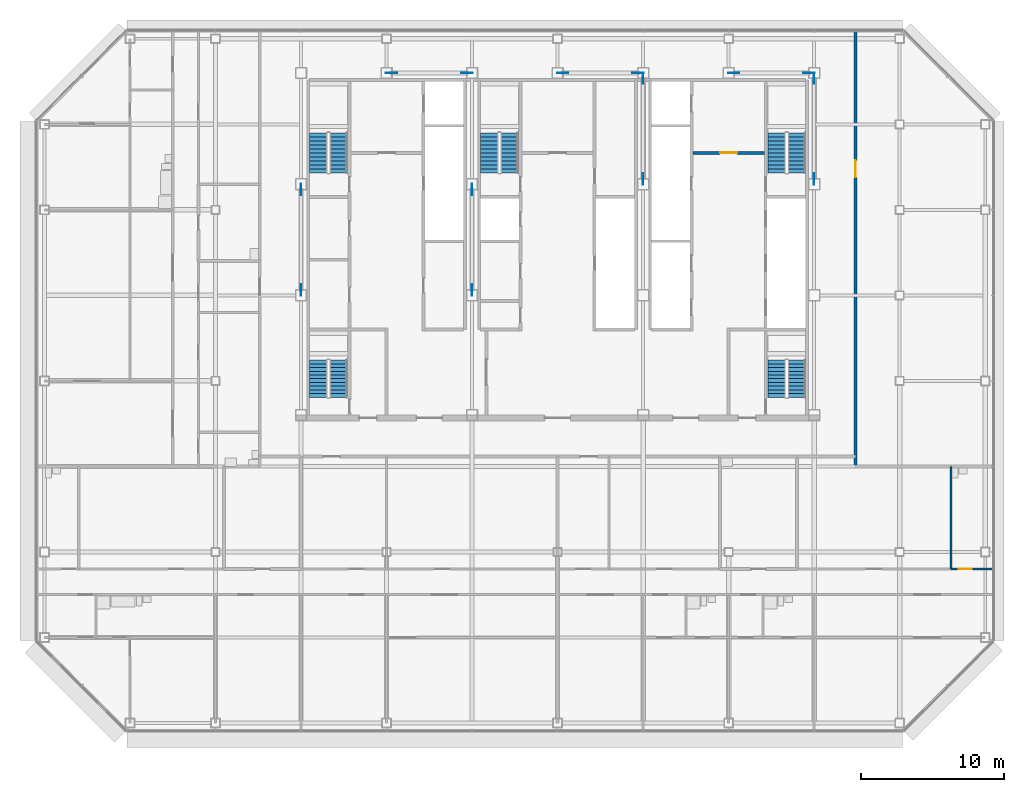
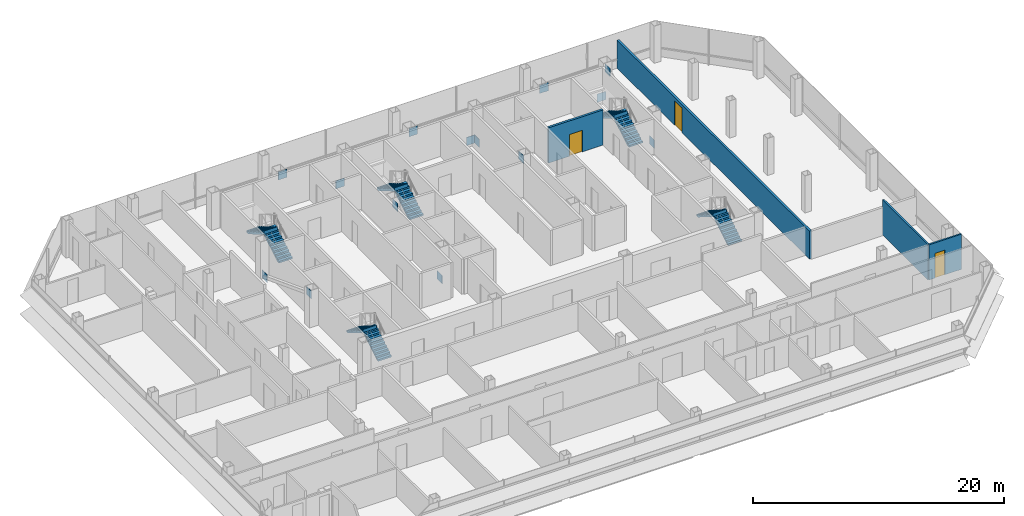
# One storey, part 24 of 26: 14 discrete accessories, 10 stair flights, 4 walls, 3 doors, 3 openings, 5 elements without a shape of their own.
"""IFC4 building model written with IfcOpenShell, lengths in metres."""

from ifc_helpers import new_model, si_unit, direction, frame, frame_2d, origin, origin_2d, place, context, subcontext, project, spatial, polyline, rectangle, outline, extrude, material, layer, layer_set, type_object, element, fill, aggregate, save


model = new_model("IFC4")

# Units and contexts
model_context = context("Model", 3, precision=1e-05, world=origin(), true_north=direction((0.0, 1.0)))
body_context = subcontext(model_context, "Body", "Model", "MODEL_VIEW")
ifc_project = project(units=[si_unit("LENGTHUNIT", "METRE"), si_unit("AREAUNIT", "SQUARE_METRE"), si_unit("VOLUMEUNIT", "CUBIC_METRE"), si_unit("PLANEANGLEUNIT", "RADIAN"), si_unit("MASSUNIT", "GRAM", prefix="KILO")], contexts=[model_context])

# Site, building, storey
site_placement = place(None, origin())
site = spatial("IfcSite", under=ifc_project, at=site_placement, CompositionType="ELEMENT")
building_placement = place(site_placement, origin())
building = spatial("IfcBuilding", under=site, at=building_placement, Name="Sorahane Residences", CompositionType="ELEMENT")
storey_placement = place(building_placement, frame((0.0, 0.0, 243.199951171875)))
storey = spatial("IfcBuildingStorey", under=building, at=storey_placement, Name="L57", CompositionType="ELEMENT", Elevation=243.199951171875)

# Wall, opening, door
ifc_material_1 = material(Name="Concrete blockwork C20 wall", Category="masonry")
ifc_layer_1 = layer(ifc_material_1, 0.199951171875)
ifc_layer_set_1 = layer_set([ifc_layer_1], Name="Corridor wall 200 EI 120")
wall_type_1 = type_object("IfcWallType", Name="Corridor wall 200 EI 120", PredefinedType="SOLIDWALL", material=ifc_layer_set_1)
wall_1_placement = place(storey_placement, frame((44.89990234375, 18.0, 0.0), z_axis=(0.0, 0.0, 1.0), x_axis=(0.0, 1.0, 0.0)))
wall_1 = element("IfcWall", 1, at=wall_1_placement, inside=storey, type_object=wall_type_1, Name="L57 corridor wall", PredefinedType="SOLIDWALL", context=body_context, shape_type="SweptSolid", body=[
    extrude(rectangle(XDim=30.60009765625, YDim=0.199951171875, at=frame_2d((15.300048828125, 0.0))), origin(), (0.0, 0.0, 1.0), 2.719970703125),
])
opening_1_placement = place(wall_1_placement, frame((20.27001953125, 0.0, 0.0)))
opening_1 = element("IfcOpeningElement", 2, at=opening_1_placement, cuts=wall_1, Name="Opening L57-43", PredefinedType="OPENING", context=body_context, shape_type="SweptSolid", body=[
    extrude(rectangle(XDim=1.199951171875, YDim=2.39990234375, at=frame_2d((0.60009765625, 1.199951171875))), frame((0.0, 0.10986328125, 0.0), z_axis=(0.0, -1.0, 0.0), x_axis=(1.0, 0.0, 0.0)), (0.0, 0.0, 1.0), 0.219970703125),
])
ifc_material_2 = material(Name="Steel", Category="steel")
door_type_1 = type_object("IfcDoorType", Name="Lobby door 1200x2400 FD60", OperationType="NOTDEFINED", PredefinedType="DOOR", material=ifc_material_2)
door_1_placement = place(opening_1_placement, frame((1.199951171875, 0.0, 0.0), z_axis=(0.0, 0.0, 1.0), x_axis=(-1.0, 0.0, 0.0)))
door_1 = element("IfcDoor", 3, at=door_1_placement, inside=storey, type_object=door_type_1, Name="Lobby door L57-43", OperationType="SINGLE_SWING_RIGHT", OverallHeight=2.39990234375, OverallWidth=1.199951171875, PredefinedType="DOOR", context=body_context, shape_type="SweptSolid", body=[
    extrude(rectangle(XDim=1.199951171875, YDim=2.39990234375, at=frame_2d((0.60009765625, 1.199951171875))), frame((0.0, 0.02490234375, 0.0), z_axis=(0.0, -1.0, 0.0), x_axis=(1.0, 0.0, 0.0)), (0.0, 0.0, 1.0), 0.050048828125),
])
fill(opening_1, door_1)

ifc_material_3 = material(Name="Concrete C30", Category="concrete")
ifc_layer_2 = layer(ifc_material_3, 0.199951171875)
ifc_layer_set_2 = layer_set([ifc_layer_2], Name="Front room wall 200 EI 120")
wall_type_2 = type_object("IfcWallType", Name="Front room wall 200 EI 120", PredefinedType="PARTITIONING", material=ifc_layer_set_2)
wall_2_placement = place(storey_placement, frame((33.5, 40.0, 0.0), z_axis=(0.0, 0.0, 1.0), x_axis=(1.0, 0.0, 0.0)))
wall_2 = element("IfcWall", 4, at=wall_2_placement, inside=storey, type_object=wall_type_2, Name="L57 front room wall", PredefinedType="PARTITIONING", context=body_context, shape_type="SweptSolid", body=[
    extrude(rectangle(XDim=5.0, YDim=0.199951171875, at=frame_2d((2.5, 0.0))), origin(), (0.0, 0.0, 1.0), 3.420166015625),
])
opening_2_placement = place(wall_2_placement, frame((1.89990234375, 0.0, 0.0)))
opening_2 = element("IfcOpeningElement", 5, at=opening_2_placement, cuts=wall_2, Name="Opening L57-C09", PredefinedType="OPENING", context=body_context, shape_type="SweptSolid", body=[
    extrude(rectangle(XDim=1.199951171875, YDim=2.10009765625, at=frame_2d((0.60009765625, 1.050048828125))), frame((0.0, 0.10986328125, 0.0), z_axis=(0.0, -1.0, 0.0), x_axis=(1.0, 0.0, 0.0)), (0.0, 0.0, 1.0), 0.219970703125),
])
ifc_material_4 = material(Name="Steel", Category="steel")
door_type_2 = type_object("IfcDoorType", Name="Front room door 1200x2100 FD120", OperationType="NOTDEFINED", PredefinedType="DOOR", material=ifc_material_4)
door_2_placement = place(opening_2_placement, frame((1.199951171875, 0.0, 0.0), z_axis=(0.0, 0.0, 1.0), x_axis=(-1.0, 0.0, 0.0)))
door_2 = element("IfcDoor", 6, at=door_2_placement, inside=storey, type_object=door_type_2, Name="Front room door Firefighting lobby FF2 front room L57", OperationType="DOUBLE_DOOR_SINGLE_SWING", OverallHeight=2.10009765625, OverallWidth=1.199951171875, PredefinedType="DOOR", context=body_context, shape_type="SweptSolid", body=[
    extrude(rectangle(XDim=1.199951171875, YDim=2.10009765625, at=frame_2d((0.60009765625, 1.050048828125))), frame((0.0, 0.02490234375, 0.0), z_axis=(0.0, -1.0, 0.0), x_axis=(1.0, 0.0, 0.0)), (0.0, 0.0, 1.0), 0.050048828125),
])
fill(opening_2, door_2)

# Wall
ifc_material_5 = material(Name="Gypsum board partition on steel studs", Category="steel")
ifc_layer_3 = layer(ifc_material_5, 0.14990234375)
ifc_layer_set_3 = layer_set([ifc_layer_3], Name="Wet wall 150 EI 90")
wall_type_3 = type_object("IfcWallType", Name="Wet wall 150 EI 90", PredefinedType="PARTITIONING", material=ifc_layer_set_3)
wall_3_placement = place(storey_placement, frame((51.60009765625, 10.800048828125, 0.0), z_axis=(0.0, 0.0, 1.0), x_axis=(0.0, 1.0, 0.0)))
element("IfcWall", 7, at=wall_3_placement, inside=storey, type_object=wall_type_3, Name="L57 wet wall", PredefinedType="PARTITIONING", context=body_context, shape_type="SweptSolid", body=[
    extrude(rectangle(XDim=7.199951171875, YDim=0.14990234375, at=frame_2d((3.60009765625, 0.0))), origin(), (0.0, 0.0, 1.0), 3.420166015625),
])

# Wall, opening, door
wall_4_placement = place(storey_placement, frame((51.60009765625, 10.800048828125, 0.0), z_axis=(0.0, 0.0, 1.0), x_axis=(1.0, 0.0, 0.0)))
wall_4 = element("IfcWall", 8, at=wall_4_placement, inside=storey, type_object=wall_type_3, Name="L57 wet wall", PredefinedType="PARTITIONING", context=body_context, shape_type="SweptSolid", body=[
    extrude(rectangle(XDim=3.0, YDim=0.14990234375, at=frame_2d((1.5, 0.0))), origin(), (0.0, 0.0, 1.0), 3.420166015625),
])
opening_3_placement = place(wall_4_placement, frame((0.550048828125, 0.0, 0.0)))
opening_3 = element("IfcOpeningElement", 9, at=opening_3_placement, cuts=wall_4, Name="Opening L57-18", PredefinedType="OPENING", context=body_context, shape_type="SweptSolid", body=[
    extrude(rectangle(XDim=0.89990234375, YDim=2.39990234375, at=frame_2d((0.449951171875, 1.199951171875))), frame((0.0, 0.0849609375, 0.0), z_axis=(0.0, -1.0, 0.0), x_axis=(1.0, 0.0, 0.0)), (0.0, 0.0, 1.0), 0.169921875),
])
ifc_material_6 = material(Name="Timber veneered fire door", Category="wood")
door_type_3 = type_object("IfcDoorType", Name="Bathroom door 900x2400 FD30", OperationType="NOTDEFINED", PredefinedType="DOOR", material=ifc_material_6)
door_3_placement = place(opening_3_placement, frame((0.89990234375, 0.0, 0.0), z_axis=(0.0, 0.0, 1.0), x_axis=(-1.0, 0.0, 0.0)))
door_3 = element("IfcDoor", 10, at=door_3_placement, inside=storey, type_object=door_type_3, Name="Bathroom door L57-18", OperationType="SINGLE_SWING_RIGHT", OverallHeight=2.39990234375, OverallWidth=0.89990234375, PredefinedType="DOOR", context=body_context, shape_type="SweptSolid", body=[
    extrude(rectangle(XDim=0.89990234375, YDim=2.39990234375, at=frame_2d((0.449951171875, 1.199951171875))), frame((0.0, 0.02490234375, 0.0), z_axis=(0.0, -1.0, 0.0), x_axis=(1.0, 0.0, 0.0)), (0.0, 0.0, 1.0), 0.050048828125),
])
fill(opening_3, door_3)

# Stair, stair flights
ifc_material_7 = material(Name="Concrete C40", Category="concrete")
stair_type = type_object("IfcStairType", Name="Dog-leg stair 1250 Concrete C40", PredefinedType="HALF_TURN_STAIR", material=ifc_material_7)
stair_1_placement = place(storey_placement, origin())
stair_1 = element("IfcStair", 11, at=stair_1_placement, inside=storey, type_object=stair_type, Name="L57 Stair S1", PredefinedType="HALF_TURN_STAIR")
ifc_material_8 = material(Name="Concrete C40", Category="concrete")
stair_flight_type = type_object("IfcStairFlightType", Name="Stair flight 1250 Concrete C40", PredefinedType="STRAIGHT", material=ifc_material_8)
stair_flight_1_placement = place(storey_placement, frame((8.625, 38.60009765625, 0.0), z_axis=(0.0, 0.0, 1.0), x_axis=(0.0, 1.0, 0.0)))
stair_flight_1 = element("IfcStairFlight", 12, at=stair_flight_1_placement, type_object=stair_flight_type, Name="S1 flight 1", NumberOfRisers=11, NumberOfTreads=10, PredefinedType="STRAIGHT", RiserHeight=0.163636364, TreadLength=0.28, context=body_context, shape_type="SweptSolid", body=[
    extrude(outline(polyline([(-0.00146484375, 0.0), (-0.00146484375, 0.16357421875), (0.0, 0.16357421875), (0.280029296875, 0.16357421875), (0.280029296875, 0.327392578125), (0.56005859375, 0.327392578125), (0.56005859375, 0.490966796875), (0.840087890625, 0.490966796875), (0.840087890625, 0.654541015625), (1.1201171875, 0.654541015625), (1.1201171875, 0.818115234375), (1.39990234375, 0.818115234375), (1.39990234375, 0.98193359375), (1.679931640625, 0.98193359375), (1.679931640625, 1.1455078125), (1.9599609375, 1.1455078125), (1.9599609375, 1.30908203125), (2.239990234375, 1.30908203125), (2.239990234375, 1.47265625), (2.52001953125, 1.47265625), (2.52001953125, 1.636474609375), (2.800048828125, 1.636474609375), (2.800048828125, 1.800048828125), (2.800048828125, 1.462646484375), (2.59130859375, 1.3408203125), (2.3828125, 1.218994140625), (2.17431640625, 1.09716796875), (1.965576171875, 0.97509765625), (1.757080078125, 0.853271484375), (1.548583984375, 0.7314453125), (1.340087890625, 0.609375), (1.13134765625, 0.487548828125), (0.9228515625, 0.36572265625), (0.71435546875, 0.243896484375), (0.505615234375, 0.121826171875), (0.297119140625, 0.0), (-0.00146484375, 0.0)])), frame((0.0, 0.625, 0.0), z_axis=(0.0, -1.0, 0.0), x_axis=(1.0, 0.0, 0.0)), (0.0, 0.0, 1.0), 1.25),
])
stair_flight_2_placement = place(storey_placement, frame((7.22509765625, 41.39990234375, 1.800048828125), z_axis=(0.0, 0.0, 1.0), x_axis=(0.0, -1.0, 0.0)))
stair_flight_2 = element("IfcStairFlight", 13, at=stair_flight_2_placement, type_object=stair_flight_type, Name="S1 flight 2", NumberOfRisers=11, NumberOfTreads=10, PredefinedType="STRAIGHT", RiserHeight=0.163636364, TreadLength=0.28, context=body_context, shape_type="SweptSolid", body=[
    extrude(outline(polyline([(0.0, 0.0), (0.0, 0.16357421875), (0.280029296875, 0.16357421875), (0.280029296875, 0.327392578125), (0.56005859375, 0.327392578125), (0.56005859375, 0.490966796875), (0.840087890625, 0.490966796875), (0.840087890625, 0.654541015625), (1.1201171875, 0.654541015625), (1.1201171875, 0.818115234375), (1.39990234375, 0.818115234375), (1.39990234375, 0.98193359375), (1.679931640625, 0.98193359375), (1.679931640625, 1.1455078125), (1.9599609375, 1.1455078125), (1.9599609375, 1.30908203125), (2.239990234375, 1.30908203125), (2.239990234375, 1.47265625), (2.52001953125, 1.47265625), (2.52001953125, 1.636474609375), (2.800048828125, 1.636474609375), (2.800048828125, 1.800048828125), (2.801513671875, 1.800048828125), (2.801513671875, 1.462646484375), (2.5927734375, 1.3408203125), (2.384033203125, 1.218994140625), (2.17529296875, 1.09716796875), (1.966796875, 0.97509765625), (1.758056640625, 0.853271484375), (1.54931640625, 0.7314453125), (1.340576171875, 0.609375), (1.1318359375, 0.487548828125), (0.923095703125, 0.36572265625), (0.714599609375, 0.243896484375), (0.505859375, 0.121826171875), (0.297119140625, 0.0), (0.0, 0.0)])), frame((0.0, 0.625, 0.0), z_axis=(0.0, -1.0, 0.0), x_axis=(1.0, 0.0, 0.0)), (0.0, 0.0, 1.0), 1.25),
])
aggregate(stair_1, [stair_flight_1, stair_flight_2])

stair_2_placement = place(storey_placement, origin())
stair_2 = element("IfcStair", 14, at=stair_2_placement, inside=storey, type_object=stair_type, Name="L57 Stair S2", PredefinedType="HALF_TURN_STAIR")
stair_flight_3_placement = place(storey_placement, frame((40.77490234375, 38.60009765625, 0.0), z_axis=(0.0, 0.0, 1.0), x_axis=(0.0, 1.0, 0.0)))
stair_flight_3 = element("IfcStairFlight", 15, at=stair_flight_3_placement, type_object=stair_flight_type, Name="S2 flight 1", NumberOfRisers=11, NumberOfTreads=10, PredefinedType="STRAIGHT", RiserHeight=0.163636364, TreadLength=0.28, context=body_context, shape_type="SweptSolid", body=[
    extrude(outline(polyline([(-0.00146484375, 0.0), (-0.00146484375, 0.16357421875), (0.0, 0.16357421875), (0.280029296875, 0.16357421875), (0.280029296875, 0.327392578125), (0.56005859375, 0.327392578125), (0.56005859375, 0.490966796875), (0.840087890625, 0.490966796875), (0.840087890625, 0.654541015625), (1.1201171875, 0.654541015625), (1.1201171875, 0.818115234375), (1.39990234375, 0.818115234375), (1.39990234375, 0.98193359375), (1.679931640625, 0.98193359375), (1.679931640625, 1.1455078125), (1.9599609375, 1.1455078125), (1.9599609375, 1.30908203125), (2.239990234375, 1.30908203125), (2.239990234375, 1.47265625), (2.52001953125, 1.47265625), (2.52001953125, 1.636474609375), (2.800048828125, 1.636474609375), (2.800048828125, 1.800048828125), (2.800048828125, 1.462646484375), (2.59130859375, 1.3408203125), (2.3828125, 1.218994140625), (2.17431640625, 1.09716796875), (1.965576171875, 0.97509765625), (1.757080078125, 0.853271484375), (1.548583984375, 0.7314453125), (1.340087890625, 0.609375), (1.13134765625, 0.487548828125), (0.9228515625, 0.36572265625), (0.71435546875, 0.243896484375), (0.505615234375, 0.121826171875), (0.297119140625, 0.0), (-0.00146484375, 0.0)])), frame((0.0, 0.625, 0.0), z_axis=(0.0, -1.0, 0.0), x_axis=(1.0, 0.0, 0.0)), (0.0, 0.0, 1.0), 1.25),
])
stair_flight_4_placement = place(storey_placement, frame((39.375, 41.39990234375, 1.800048828125), z_axis=(0.0, 0.0, 1.0), x_axis=(0.0, -1.0, 0.0)))
stair_flight_4 = element("IfcStairFlight", 16, at=stair_flight_4_placement, type_object=stair_flight_type, Name="S2 flight 2", NumberOfRisers=11, NumberOfTreads=10, PredefinedType="STRAIGHT", RiserHeight=0.163636364, TreadLength=0.28, context=body_context, shape_type="SweptSolid", body=[
    extrude(outline(polyline([(0.0, 0.0), (0.0, 0.16357421875), (0.280029296875, 0.16357421875), (0.280029296875, 0.327392578125), (0.56005859375, 0.327392578125), (0.56005859375, 0.490966796875), (0.840087890625, 0.490966796875), (0.840087890625, 0.654541015625), (1.1201171875, 0.654541015625), (1.1201171875, 0.818115234375), (1.39990234375, 0.818115234375), (1.39990234375, 0.98193359375), (1.679931640625, 0.98193359375), (1.679931640625, 1.1455078125), (1.9599609375, 1.1455078125), (1.9599609375, 1.30908203125), (2.239990234375, 1.30908203125), (2.239990234375, 1.47265625), (2.52001953125, 1.47265625), (2.52001953125, 1.636474609375), (2.800048828125, 1.636474609375), (2.800048828125, 1.800048828125), (2.801513671875, 1.800048828125), (2.801513671875, 1.462646484375), (2.5927734375, 1.3408203125), (2.384033203125, 1.218994140625), (2.17529296875, 1.09716796875), (1.966796875, 0.97509765625), (1.758056640625, 0.853271484375), (1.54931640625, 0.7314453125), (1.340576171875, 0.609375), (1.1318359375, 0.487548828125), (0.923095703125, 0.36572265625), (0.714599609375, 0.243896484375), (0.505859375, 0.121826171875), (0.297119140625, 0.0), (0.0, 0.0)])), frame((0.0, 0.625, 0.0), z_axis=(0.0, -1.0, 0.0), x_axis=(1.0, 0.0, 0.0)), (0.0, 0.0, 1.0), 1.25),
])
aggregate(stair_2, [stair_flight_3, stair_flight_4])

stair_3_placement = place(storey_placement, origin())
stair_3 = element("IfcStair", 17, at=stair_3_placement, inside=storey, type_object=stair_type, Name="L57 Stair S3", PredefinedType="HALF_TURN_STAIR")
stair_flight_5_placement = place(storey_placement, frame((20.625, 38.60009765625, 0.0), z_axis=(0.0, 0.0, 1.0), x_axis=(0.0, 1.0, 0.0)))
stair_flight_5 = element("IfcStairFlight", 18, at=stair_flight_5_placement, type_object=stair_flight_type, Name="S3 flight 1", NumberOfRisers=11, NumberOfTreads=10, PredefinedType="STRAIGHT", RiserHeight=0.163636364, TreadLength=0.28, context=body_context, shape_type="SweptSolid", body=[
    extrude(outline(polyline([(-0.00146484375, 0.0), (-0.00146484375, 0.16357421875), (0.0, 0.16357421875), (0.280029296875, 0.16357421875), (0.280029296875, 0.327392578125), (0.56005859375, 0.327392578125), (0.56005859375, 0.490966796875), (0.840087890625, 0.490966796875), (0.840087890625, 0.654541015625), (1.1201171875, 0.654541015625), (1.1201171875, 0.818115234375), (1.39990234375, 0.818115234375), (1.39990234375, 0.98193359375), (1.679931640625, 0.98193359375), (1.679931640625, 1.1455078125), (1.9599609375, 1.1455078125), (1.9599609375, 1.30908203125), (2.239990234375, 1.30908203125), (2.239990234375, 1.47265625), (2.52001953125, 1.47265625), (2.52001953125, 1.636474609375), (2.800048828125, 1.636474609375), (2.800048828125, 1.800048828125), (2.800048828125, 1.462646484375), (2.59130859375, 1.3408203125), (2.3828125, 1.218994140625), (2.17431640625, 1.09716796875), (1.965576171875, 0.97509765625), (1.757080078125, 0.853271484375), (1.548583984375, 0.7314453125), (1.340087890625, 0.609375), (1.13134765625, 0.487548828125), (0.9228515625, 0.36572265625), (0.71435546875, 0.243896484375), (0.505615234375, 0.121826171875), (0.297119140625, 0.0), (-0.00146484375, 0.0)])), frame((0.0, 0.625, 0.0), z_axis=(0.0, -1.0, 0.0), x_axis=(1.0, 0.0, 0.0)), (0.0, 0.0, 1.0), 1.25),
])
stair_flight_6_placement = place(storey_placement, frame((19.22509765625, 41.39990234375, 1.800048828125), z_axis=(0.0, 0.0, 1.0), x_axis=(0.0, -1.0, 0.0)))
stair_flight_6 = element("IfcStairFlight", 19, at=stair_flight_6_placement, type_object=stair_flight_type, Name="S3 flight 2", NumberOfRisers=11, NumberOfTreads=10, PredefinedType="STRAIGHT", RiserHeight=0.163636364, TreadLength=0.28, context=body_context, shape_type="SweptSolid", body=[
    extrude(outline(polyline([(0.0, 0.0), (0.0, 0.16357421875), (0.280029296875, 0.16357421875), (0.280029296875, 0.327392578125), (0.56005859375, 0.327392578125), (0.56005859375, 0.490966796875), (0.840087890625, 0.490966796875), (0.840087890625, 0.654541015625), (1.1201171875, 0.654541015625), (1.1201171875, 0.818115234375), (1.39990234375, 0.818115234375), (1.39990234375, 0.98193359375), (1.679931640625, 0.98193359375), (1.679931640625, 1.1455078125), (1.9599609375, 1.1455078125), (1.9599609375, 1.30908203125), (2.239990234375, 1.30908203125), (2.239990234375, 1.47265625), (2.52001953125, 1.47265625), (2.52001953125, 1.636474609375), (2.800048828125, 1.636474609375), (2.800048828125, 1.800048828125), (2.801513671875, 1.800048828125), (2.801513671875, 1.462646484375), (2.5927734375, 1.3408203125), (2.384033203125, 1.218994140625), (2.17529296875, 1.09716796875), (1.966796875, 0.97509765625), (1.758056640625, 0.853271484375), (1.54931640625, 0.7314453125), (1.340576171875, 0.609375), (1.1318359375, 0.487548828125), (0.923095703125, 0.36572265625), (0.714599609375, 0.243896484375), (0.505859375, 0.121826171875), (0.297119140625, 0.0), (0.0, 0.0)])), frame((0.0, 0.625, 0.0), z_axis=(0.0, -1.0, 0.0), x_axis=(1.0, 0.0, 0.0)), (0.0, 0.0, 1.0), 1.25),
])
aggregate(stair_3, [stair_flight_5, stair_flight_6])

stair_4_placement = place(storey_placement, origin())
stair_4 = element("IfcStair", 20, at=stair_4_placement, inside=storey, type_object=stair_type, Name="L57 Stair S4", PredefinedType="HALF_TURN_STAIR")
stair_flight_7_placement = place(storey_placement, frame((8.625, 22.85009765625, 0.0), z_axis=(0.0, 0.0, 1.0), x_axis=(0.0, 1.0, 0.0)))
stair_flight_7 = element("IfcStairFlight", 21, at=stair_flight_7_placement, type_object=stair_flight_type, Name="S4 flight 1", NumberOfRisers=11, NumberOfTreads=10, PredefinedType="STRAIGHT", RiserHeight=0.163636364, TreadLength=0.26, context=body_context, shape_type="SweptSolid", body=[
    extrude(outline(polyline([(-0.00146484375, 0.0), (-0.00146484375, 0.16357421875), (0.0, 0.16357421875), (0.260009765625, 0.16357421875), (0.260009765625, 0.327392578125), (0.52001953125, 0.327392578125), (0.52001953125, 0.490966796875), (0.780029296875, 0.490966796875), (0.780029296875, 0.654541015625), (1.0400390625, 0.654541015625), (1.0400390625, 0.818115234375), (1.300048828125, 0.818115234375), (1.300048828125, 0.98193359375), (1.56005859375, 0.98193359375), (1.56005859375, 1.1455078125), (1.820068359375, 1.1455078125), (1.820068359375, 1.30908203125), (2.080078125, 1.30908203125), (2.080078125, 1.47265625), (2.340087890625, 1.47265625), (2.340087890625, 1.636474609375), (2.60009765625, 1.636474609375), (2.60009765625, 1.800048828125), (2.60009765625, 1.494384765625), (2.402099609375, 1.369873046875), (2.204345703125, 1.245361328125), (2.00634765625, 1.120849609375), (1.80859375, 0.996337890625), (1.610595703125, 0.871826171875), (1.412841796875, 0.747314453125), (1.21484375, 0.622802734375), (1.01708984375, 0.498046875), (0.819091796875, 0.37353515625), (0.621337890625, 0.2490234375), (0.42333984375, 0.12451171875), (0.2255859375, 0.0), (-0.00146484375, 0.0)])), frame((0.0, 0.625, 0.0), z_axis=(0.0, -1.0, 0.0), x_axis=(1.0, 0.0, 0.0)), (0.0, 0.0, 1.0), 1.25),
])
stair_flight_8_placement = place(storey_placement, frame((7.22509765625, 25.449951171875, 1.800048828125), z_axis=(0.0, 0.0, 1.0), x_axis=(0.0, -1.0, 0.0)))
stair_flight_8 = element("IfcStairFlight", 22, at=stair_flight_8_placement, type_object=stair_flight_type, Name="S4 flight 2", NumberOfRisers=11, NumberOfTreads=10, PredefinedType="STRAIGHT", RiserHeight=0.163636364, TreadLength=0.26, context=body_context, shape_type="SweptSolid", body=[
    extrude(outline(polyline([(0.0, 0.0), (0.0, 0.16357421875), (0.260009765625, 0.16357421875), (0.260009765625, 0.327392578125), (0.52001953125, 0.327392578125), (0.52001953125, 0.490966796875), (0.780029296875, 0.490966796875), (0.780029296875, 0.654541015625), (1.0400390625, 0.654541015625), (1.0400390625, 0.818115234375), (1.300048828125, 0.818115234375), (1.300048828125, 0.98193359375), (1.56005859375, 0.98193359375), (1.56005859375, 1.1455078125), (1.820068359375, 1.1455078125), (1.820068359375, 1.30908203125), (2.080078125, 1.30908203125), (2.080078125, 1.47265625), (2.340087890625, 1.47265625), (2.340087890625, 1.636474609375), (2.60009765625, 1.636474609375), (2.60009765625, 1.800048828125), (2.6015625, 1.800048828125), (2.6015625, 1.494384765625), (2.403564453125, 1.369873046875), (2.20556640625, 1.245361328125), (2.007568359375, 1.120849609375), (1.8095703125, 0.996337890625), (1.611572265625, 0.871826171875), (1.41357421875, 0.747314453125), (1.215576171875, 0.622802734375), (1.017578125, 0.498046875), (0.819580078125, 0.37353515625), (0.62158203125, 0.2490234375), (0.423583984375, 0.12451171875), (0.2255859375, 0.0), (0.0, 0.0)])), frame((0.0, 0.625, 0.0), z_axis=(0.0, -1.0, 0.0), x_axis=(1.0, 0.0, 0.0)), (0.0, 0.0, 1.0), 1.25),
])
aggregate(stair_4, [stair_flight_7, stair_flight_8])

stair_5_placement = place(storey_placement, origin())
stair_5 = element("IfcStair", 23, at=stair_5_placement, inside=storey, type_object=stair_type, Name="L57 Stair S5", PredefinedType="HALF_TURN_STAIR")
stair_flight_9_placement = place(storey_placement, frame((40.77490234375, 22.85009765625, 0.0), z_axis=(0.0, 0.0, 1.0), x_axis=(0.0, 1.0, 0.0)))
stair_flight_9 = element("IfcStairFlight", 24, at=stair_flight_9_placement, type_object=stair_flight_type, Name="S5 flight 1", NumberOfRisers=11, NumberOfTreads=10, PredefinedType="STRAIGHT", RiserHeight=0.163636364, TreadLength=0.26, context=body_context, shape_type="SweptSolid", body=[
    extrude(outline(polyline([(-0.00146484375, 0.0), (-0.00146484375, 0.16357421875), (0.0, 0.16357421875), (0.260009765625, 0.16357421875), (0.260009765625, 0.327392578125), (0.52001953125, 0.327392578125), (0.52001953125, 0.490966796875), (0.780029296875, 0.490966796875), (0.780029296875, 0.654541015625), (1.0400390625, 0.654541015625), (1.0400390625, 0.818115234375), (1.300048828125, 0.818115234375), (1.300048828125, 0.98193359375), (1.56005859375, 0.98193359375), (1.56005859375, 1.1455078125), (1.820068359375, 1.1455078125), (1.820068359375, 1.30908203125), (2.080078125, 1.30908203125), (2.080078125, 1.47265625), (2.340087890625, 1.47265625), (2.340087890625, 1.636474609375), (2.60009765625, 1.636474609375), (2.60009765625, 1.800048828125), (2.60009765625, 1.494384765625), (2.402099609375, 1.369873046875), (2.204345703125, 1.245361328125), (2.00634765625, 1.120849609375), (1.80859375, 0.996337890625), (1.610595703125, 0.871826171875), (1.412841796875, 0.747314453125), (1.21484375, 0.622802734375), (1.01708984375, 0.498046875), (0.819091796875, 0.37353515625), (0.621337890625, 0.2490234375), (0.42333984375, 0.12451171875), (0.2255859375, 0.0), (-0.00146484375, 0.0)])), frame((0.0, 0.625, 0.0), z_axis=(0.0, -1.0, 0.0), x_axis=(1.0, 0.0, 0.0)), (0.0, 0.0, 1.0), 1.25),
])
stair_flight_10_placement = place(storey_placement, frame((39.375, 25.449951171875, 1.800048828125), z_axis=(0.0, 0.0, 1.0), x_axis=(0.0, -1.0, 0.0)))
stair_flight_10 = element("IfcStairFlight", 25, at=stair_flight_10_placement, type_object=stair_flight_type, Name="S5 flight 2", NumberOfRisers=11, NumberOfTreads=10, PredefinedType="STRAIGHT", RiserHeight=0.163636364, TreadLength=0.26, context=body_context, shape_type="SweptSolid", body=[
    extrude(outline(polyline([(0.0, 0.0), (0.0, 0.16357421875), (0.260009765625, 0.16357421875), (0.260009765625, 0.327392578125), (0.52001953125, 0.327392578125), (0.52001953125, 0.490966796875), (0.780029296875, 0.490966796875), (0.780029296875, 0.654541015625), (1.0400390625, 0.654541015625), (1.0400390625, 0.818115234375), (1.300048828125, 0.818115234375), (1.300048828125, 0.98193359375), (1.56005859375, 0.98193359375), (1.56005859375, 1.1455078125), (1.820068359375, 1.1455078125), (1.820068359375, 1.30908203125), (2.080078125, 1.30908203125), (2.080078125, 1.47265625), (2.340087890625, 1.47265625), (2.340087890625, 1.636474609375), (2.60009765625, 1.636474609375), (2.60009765625, 1.800048828125), (2.6015625, 1.800048828125), (2.6015625, 1.494384765625), (2.403564453125, 1.369873046875), (2.20556640625, 1.245361328125), (2.007568359375, 1.120849609375), (1.8095703125, 0.996337890625), (1.611572265625, 0.871826171875), (1.41357421875, 0.747314453125), (1.215576171875, 0.622802734375), (1.017578125, 0.498046875), (0.819580078125, 0.37353515625), (0.62158203125, 0.2490234375), (0.423583984375, 0.12451171875), (0.2255859375, 0.0), (0.0, 0.0)])), frame((0.0, 0.625, 0.0), z_axis=(0.0, -1.0, 0.0), x_axis=(1.0, 0.0, 0.0)), (0.0, 0.0, 1.0), 1.25),
])
aggregate(stair_5, [stair_flight_9, stair_flight_10])

# Discrete accessories
ifc_material_9 = material(Name="Steel Q355B", Category="steel")
ifc_layer_4 = layer(ifc_material_9, 0.02490234375)
ifc_layer_set_4 = layer_set([ifc_layer_4], Name="Node plate Steel Q355B 25")
discrete_accessory_type = type_object("IfcDiscreteAccessoryType", Name="Node plate Steel Q355B 25", PredefinedType="BRACKET", material=ifc_layer_set_4)
for number, where, z_axis, x_axis, name in (
    (26, (6.0, 37.43212890625, -0.26220703125), (0.0, 0.0, 1.0), (0.0, 1.0, 0.0), "Node plate L57 br"),
    (27, (6.0, 30.367919921875, 2.43212890625), (0.0, 0.0, 1.0), (0.0, 1.0, 0.0), "Node plate L57 br"),
    (28, (18.0, 30.367919921875, -0.26220703125), (0.0, 0.0, 1.0), (0.0, 1.0, 0.0), "Node plate L57 br"),
    (29, (18.0, 37.43212890625, 2.43212890625), (0.0, 0.0, 1.0), (0.0, 1.0, 0.0), "Node plate L57 br"),
    (30, (30.0, 45.232177734375, -0.26220703125), (0.0, 0.0, 1.0), (0.0, 1.0, 0.0), "Node plate L57 br"),
    (31, (30.0, 38.16796875, 2.43212890625), (0.0, 0.0, 1.0), (0.0, 1.0, 0.0), "Node plate L57 br"),
    (32, (42.0, 38.16796875, -0.26220703125), (0.0, 0.0, 1.0), (0.0, 1.0, 0.0), "Node plate L57 br"),
    (33, (42.0, 45.232177734375, 2.43212890625), (0.0, 0.0, 1.0), (0.0, 1.0, 0.0), "Node plate L57 br"),
    (34, (17.64111328125, 45.60009765625, -0.27099609375), (0.0, 0.0, 1.0), (1.0, 0.0, 0.0), "Node plate L57 br"),
    (35, (29.64111328125, 45.60009765625, -0.27099609375), (0.0, 0.0, 1.0), (1.0, 0.0, 0.0), "Node plate L57 br"),
    (36, (41.64111328125, 45.60009765625, -0.27099609375), (0.0, 0.0, 1.0), (1.0, 0.0, 0.0), "Node plate L57 br"),
    (37, (12.35888671875, 45.60009765625, 2.44091796875), (0.0, 0.0, 1.0), (1.0, 0.0, 0.0), "Node plate L57 br"),
    (38, (24.35888671875, 45.60009765625, 2.44091796875), (0.0, 0.0, 1.0), (1.0, 0.0, 0.0), "Node plate L57 br"),
    (39, (36.35888671875, 45.60009765625, 2.44091796875), (0.0, 0.0, 1.0), (1.0, 0.0, 0.0), "Node plate L57 br"),
):
    element("IfcDiscreteAccessory", number, at=place(storey_placement, frame(where, z_axis=z_axis, x_axis=x_axis)), inside=storey, type_object=discrete_accessory_type, Name=name, PredefinedType="BRACKET", context=body_context, shape_type="SweptSolid", body=[
        extrude(rectangle(XDim=0.800048828125, YDim=0.02490234375, at=origin_2d()), origin(), (0.0, 0.0, 1.0), 0.800048828125),
    ])

save(model, "model.ifc")
